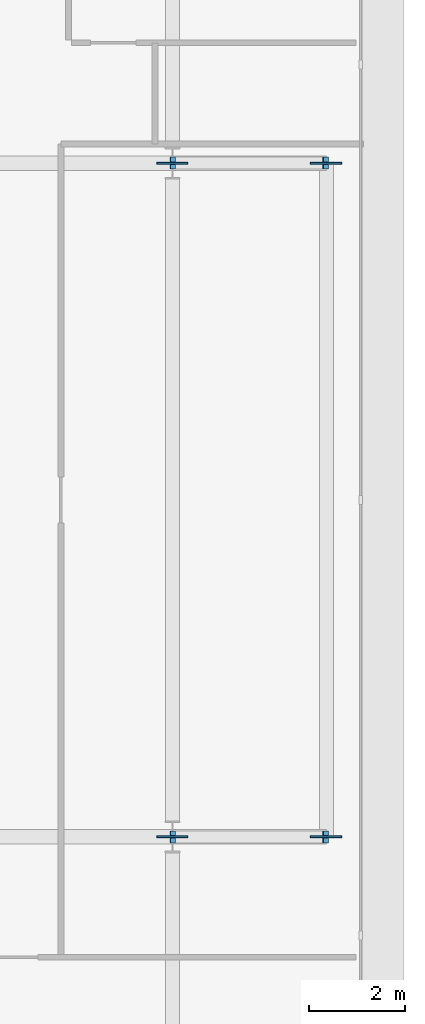
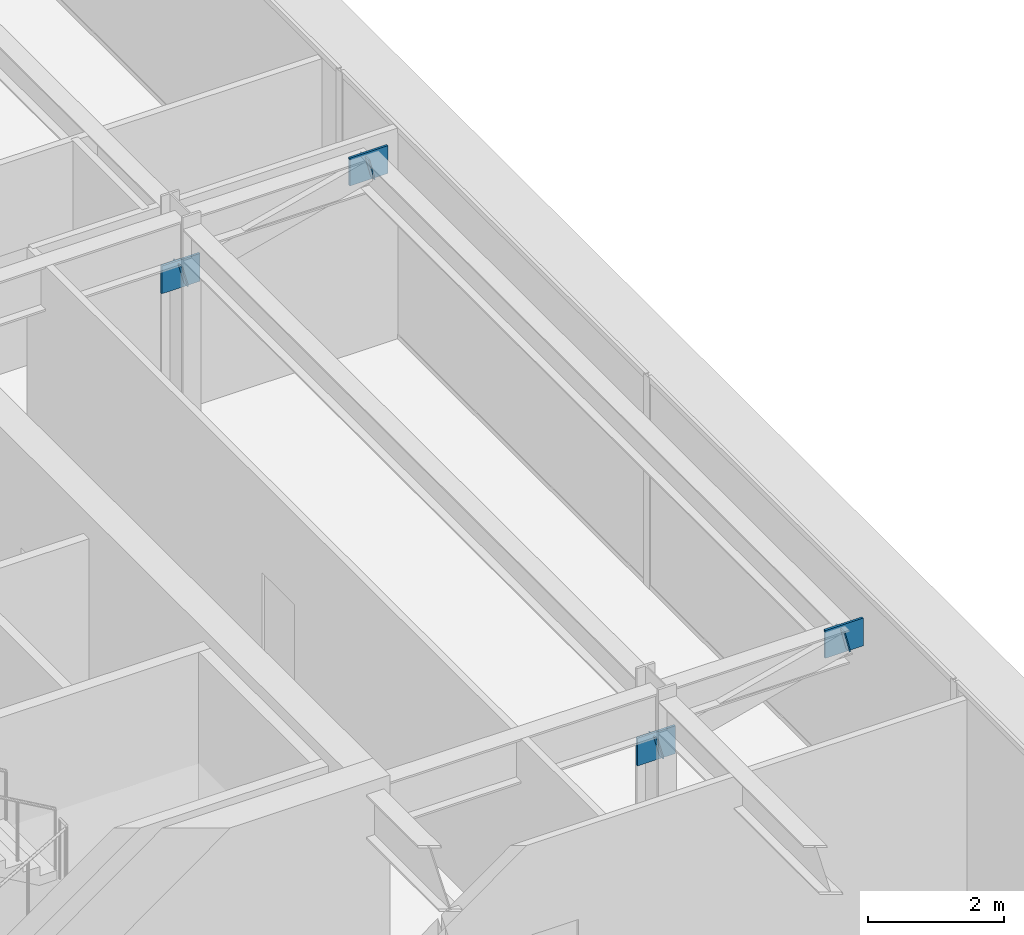
# One storey, part 12 of 20: 8 plates.
"""IFC4 building model written with IfcOpenShell, lengths in metres."""

from ifc_helpers import new_model, si_unit, direction, frame, origin, origin_2d, place, context, subcontext, project, spatial, rectangle, extrude, material, layer, layer_set, type_object, element, save


model = new_model("IFC4")

# Units and contexts
model_context = context("Model", 3, precision=1e-05, world=origin(), true_north=direction((0.0, 1.0)))
body_context = subcontext(model_context, "Body", "Model", "MODEL_VIEW")
ifc_project = project(units=[si_unit("LENGTHUNIT", "METRE"), si_unit("AREAUNIT", "SQUARE_METRE"), si_unit("VOLUMEUNIT", "CUBIC_METRE"), si_unit("PLANEANGLEUNIT", "RADIAN"), si_unit("MASSUNIT", "GRAM", prefix="KILO")], contexts=[model_context])

# Site, building, storey
site_placement = place(None, origin())
site = spatial("IfcSite", under=ifc_project, at=site_placement, CompositionType="ELEMENT")
building_placement = place(site_placement, origin())
building = spatial("IfcBuilding", under=site, at=building_placement, Name="Putna Gate Headquarters", CompositionType="ELEMENT")
storey_placement = place(building_placement, frame((0.0, 0.0, 298.39990234375)))
storey = spatial("IfcBuildingStorey", under=building, at=storey_placement, Name="L75", CompositionType="ELEMENT", Elevation=298.39990234375)

# Plates
ifc_material_1 = material(Name="Steel S355J2", Category="steel")
ifc_layer_1 = layer(ifc_material_1, 0.02001953125)
ifc_layer_set_1 = layer_set([ifc_layer_1], Name="Steel S355J2")
plate_type_1 = type_object("IfcPlateType", Name="PLT-CAP-EC-R400", PredefinedType="SHEET", material=ifc_layer_set_1)
for number, where, z_axis, x_axis, name in (
    (1, (69.9150390625, 19.0, 2.75), (0.966437683387, 0.0, 0.256901156343), (0.0, 1.0, 0.0), "L75 East Sail Cantilever Raker Y19 End Cap Start"),
    (2, (73.090576171875, 19.0, 3.563232421875), (0.970142500145, 0.0, 0.242535625036), (0.0, 1.0, 0.0), "L75 East Sail Cantilever Raker Y19 End Cap End"),
    (3, (69.9150390625, 33.0, 2.75), (0.966437683387, 0.0, 0.256901156343), (0.0, 1.0, 0.0), "L75 East Sail Cantilever Raker Y33 End Cap Start"),
    (4, (73.090576171875, 33.0, 3.563232421875), (0.970142500145, 0.0, 0.242535625036), (0.0, 1.0, 0.0), "L75 East Sail Cantilever Raker Y33 End Cap End"),
):
    element("IfcPlate", number, at=place(storey_placement, frame(where, z_axis=z_axis, x_axis=x_axis)), inside=storey, type_object=plate_type_1, Name=name, PredefinedType="SHEET", context=body_context, shape_type="SweptSolid", body=[
        extrude(rectangle(XDim=0.25, YDim=0.39990234375, at=origin_2d()), origin(), (0.0, 0.0, 1.0), 0.02001953125),
    ])
ifc_material_2 = material(Name="Steel S460M", Category="steel")
ifc_layer_2 = layer(ifc_material_2, 0.0380859375)
ifc_layer_set_2 = layer_set([ifc_layer_2], Name="Steel S460M")
plate_type_2 = type_object("IfcPlateType", Name="PLT-NODE-TN1", PredefinedType="SHEET", material=ifc_layer_set_2)
for number, where, z_axis, x_axis, name in (
    (5, (69.9150390625, 19.0, 2.5), (0.0, 0.0, 1.0), (1.0, 0.0, 0.0), "L75 Sail Raker Node Plate TN1 Y19-1"),
    (6, (73.110107421875, 19.0, 3.318115234375), (0.0, 0.0, 1.0), (1.0, 0.0, 0.0), "L75 Sail Raker Node Plate TN1 Y19-2"),
    (7, (69.9150390625, 33.0, 2.5), (0.0, 0.0, 1.0), (1.0, 0.0, 0.0), "L75 Sail Raker Node Plate TN1 Y33-1"),
    (8, (73.110107421875, 33.0, 3.318115234375), (0.0, 0.0, 1.0), (1.0, 0.0, 0.0), "L75 Sail Raker Node Plate TN1 Y33-2"),
):
    element("IfcPlate", number, at=place(storey_placement, frame(where, z_axis=z_axis, x_axis=x_axis)), inside=storey, type_object=plate_type_2, Name=name, PredefinedType="SHEET", context=body_context, shape_type="SweptSolid", body=[
        extrude(rectangle(XDim=0.64990234375, YDim=0.0380859375, at=origin_2d()), origin(), (0.0, 0.0, 1.0), 0.5),
    ])

save(model, "model.ifc")
